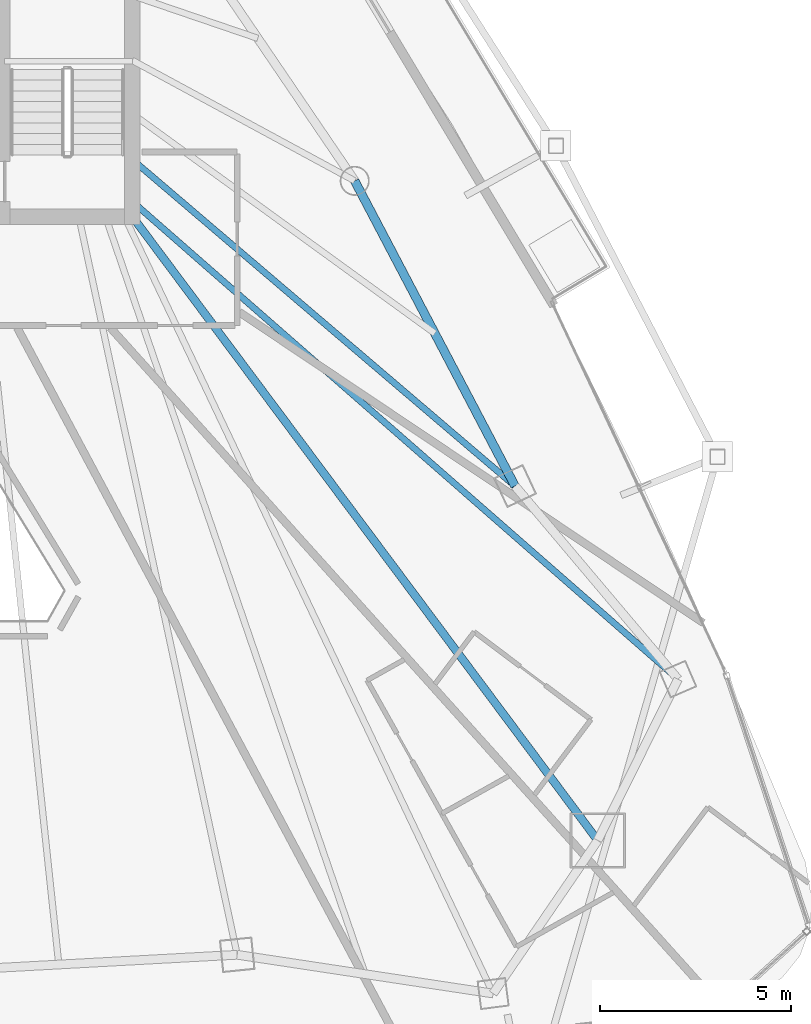
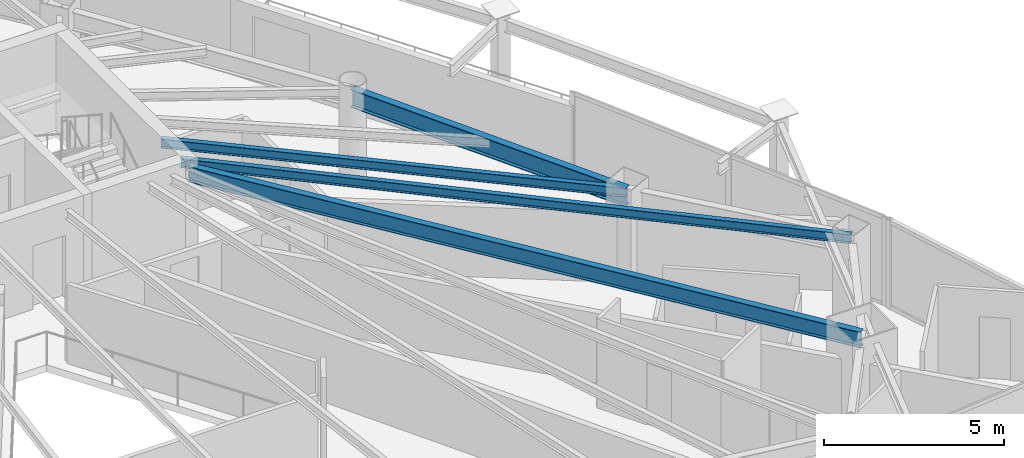
# One storey, part 18 of 31: 4 beams.
"""IFC4 building model written with IfcOpenShell, lengths in metres."""

from ifc_helpers import new_model, si_unit, direction, frame, origin, origin_2d, place, context, subcontext, project, spatial, i_section, extrude, material, material_profile, profile_set, type_object, element, save


model = new_model("IFC4")

# Units and contexts
model_context = context("Model", 3, precision=1e-05, world=origin(), true_north=direction((0.0, 1.0)))
body_context = subcontext(model_context, "Body", "Model", "MODEL_VIEW")
ifc_project = project(units=[si_unit("LENGTHUNIT", "METRE"), si_unit("AREAUNIT", "SQUARE_METRE"), si_unit("VOLUMEUNIT", "CUBIC_METRE"), si_unit("PLANEANGLEUNIT", "RADIAN"), si_unit("MASSUNIT", "GRAM", prefix="KILO")], contexts=[model_context])

# Site, building, storey
site_placement = place(None, origin())
site = spatial("IfcSite", under=ifc_project, at=site_placement, CompositionType="ELEMENT")
building_placement = place(site_placement, origin())
building = spatial("IfcBuilding", under=site, at=building_placement, Name="Orvanel Arch Residences", CompositionType="ELEMENT")
storey_placement = place(building_placement, frame((0.0, 0.0, 183.64990234375)))
storey = spatial("IfcBuildingStorey", under=building, at=storey_placement, Name="L52", CompositionType="ELEMENT", Elevation=183.64990234375)

# Beams
ifc_material = material(Name="Structural steel AS/NZS 3679.1 Grade 300 (300 MPa)", Category="steel")
ifc_material_profile_1 = material_profile(ifc_material, i_section(OverallWidth=0.208984375, OverallDepth=0.532958984375, WebThickness=0.01025390625, FlangeThickness=0.015625, at=origin_2d()), Name="530UB92.4")
ifc_profile_set_1 = profile_set([ifc_material_profile_1], Name="Structural steel AS/NZS 3679.1 Grade 300 (300 MPa)")
beam_type_1 = type_object("IfcBeamType", Name="BG-530UB", PredefinedType="BEAM", material=ifc_profile_set_1)
beam_1_placement = place(storey_placement, frame((39.625, 26.675048828125, 2.753173828125), z_axis=(0.597893733742, -0.801575375839, 0.0), x_axis=(0.801575375839, 0.597893733742, 0.0)))
element("IfcBeam", 1, at=beam_1_placement, inside=storey, type_object=beam_type_1, Name="L52 South-East Radial Girder", PredefinedType="BEAM", context=body_context, shape_type="SweptSolid", body=[
    extrude(i_section(OverallWidth=0.208984375, OverallDepth=0.532958984375, WebThickness=0.01025390625, FlangeThickness=0.015625, at=origin_2d()), origin(), (0.0, 0.0, 1.0), 20.36474609375),
])
ifc_material_profile_2 = material_profile(ifc_material, i_section(OverallWidth=0.1650390625, OverallDepth=0.303955078125, WebThickness=0.006103515625, FlangeThickness=0.01025390625, at=origin_2d()), Name="310UB40.4")
ifc_profile_set_2 = profile_set([ifc_material_profile_2], Name="Structural steel AS/NZS 3679.1 Grade 300 (300 MPa)")
beam_type_2 = type_object("IfcBeamType", Name="BJ-310UB", PredefinedType="JOIST", material=ifc_profile_set_2)
beam_2_placement = place(storey_placement, frame((39.60009765625, 28.199951171875, 2.8681640625), z_axis=(0.760821315761, -0.648961420644, 0.0), x_axis=(0.648961420644, 0.760821315761, 0.0)))
element("IfcBeam", 2, at=beam_2_placement, inside=storey, type_object=beam_type_2, Name="L52 E Wing Floor Joist", PredefinedType="JOIST", context=body_context, shape_type="SweptSolid", body=[
    extrude(i_section(OverallWidth=0.1650390625, OverallDepth=0.303955078125, WebThickness=0.006103515625, FlangeThickness=0.01025390625, at=origin_2d()), origin(), (0.0, 0.0, 1.0), 13.18701171875),
])
beam_3_placement = place(storey_placement, frame((39.60009765625, 27.10009765625, 2.8681640625), z_axis=(0.752493154183, -0.658600070534, 0.0), x_axis=(0.658600070534, 0.752493154183, 0.0)))
element("IfcBeam", 3, at=beam_3_placement, inside=storey, type_object=beam_type_2, Name="L52 ME Wing Floor Joist", PredefinedType="JOIST", context=body_context, shape_type="SweptSolid", body=[
    extrude(i_section(OverallWidth=0.1650390625, OverallDepth=0.303955078125, WebThickness=0.006103515625, FlangeThickness=0.01025390625, at=origin_2d()), origin(), (0.0, 0.0, 1.0), 19.010009765625),
])
ifc_material_profile_3 = material_profile(ifc_material, i_section(OverallWidth=0.22900390625, OverallDepth=0.612060546875, WebThickness=0.011962890625, FlangeThickness=0.01953125, at=origin_2d()), Name="610UB125")
ifc_profile_set_3 = profile_set([ifc_material_profile_3], Name="Structural steel AS/NZS 3679.1 Grade 300 (300 MPa)")
beam_type_3 = type_object("IfcBeamType", Name="SP-610UB", PredefinedType="SPANDREL", material=ifc_profile_set_3)
beam_4_placement = place(storey_placement, frame((49.633056640625, 19.64208984375, 2.714111328125), z_axis=(-0.465064762793, 0.885276660942, 0.0), x_axis=(-0.885276660942, -0.465064762793, 0.0)))
element("IfcBeam", 4, at=beam_4_placement, inside=storey, type_object=beam_type_3, Name="L52 Perimeter Spandrel Beam 11", PredefinedType="SPANDREL", context=body_context, shape_type="SweptSolid", body=[
    extrude(i_section(OverallWidth=0.22900390625, OverallDepth=0.612060546875, WebThickness=0.011962890625, FlangeThickness=0.01953125, at=origin_2d()), origin(), (0.0, 0.0, 1.0), 9.03564453125),
])

save(model, "model.ifc")
